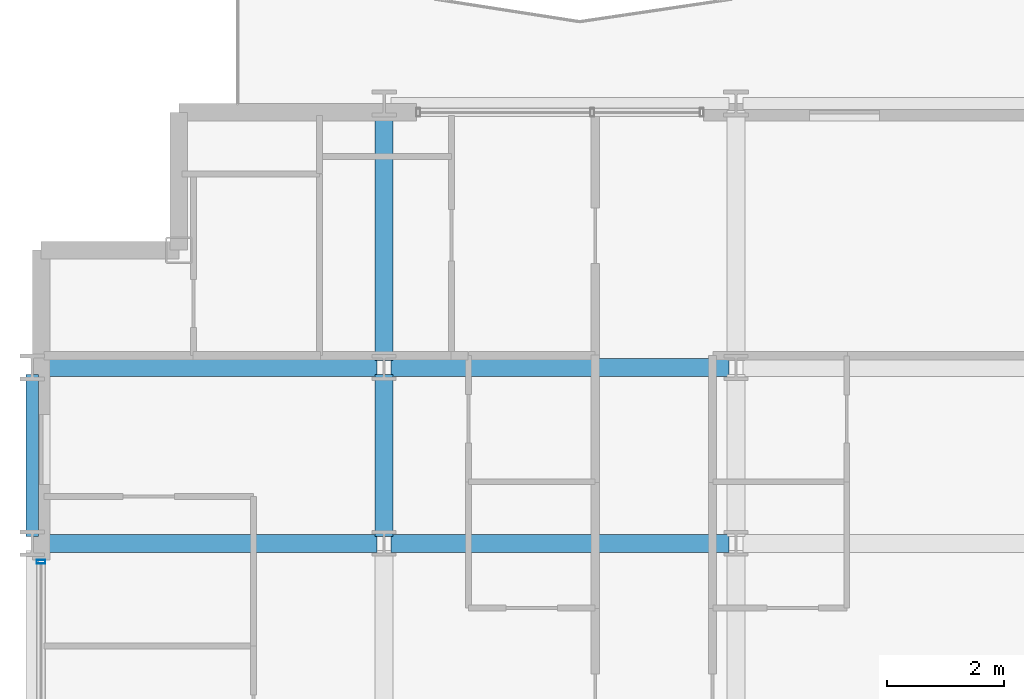
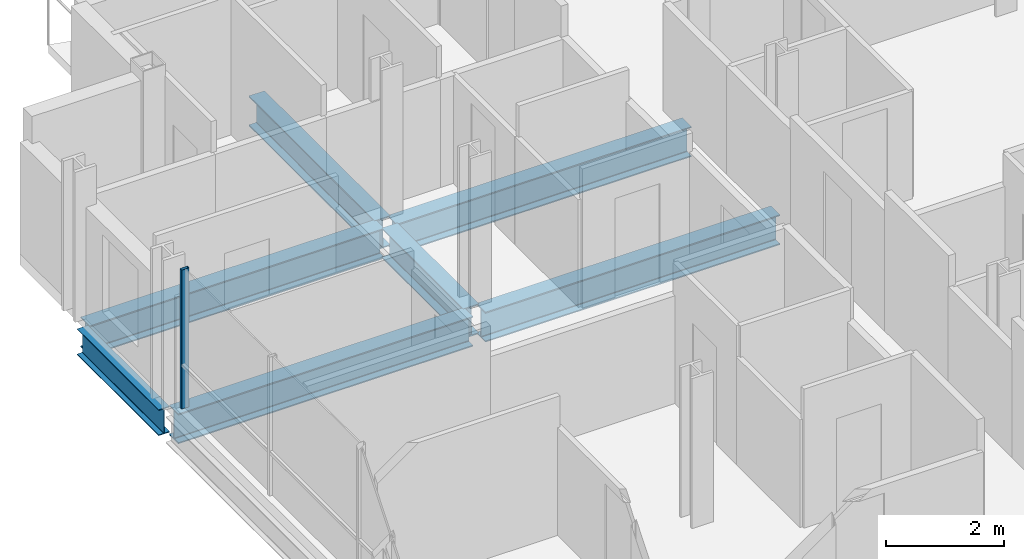
# One storey, part 7 of 40: 7 beams, 1 member, 1 element without a shape of its own.
"""IFC4 building model written with IfcOpenShell, lengths in metres."""

from ifc_helpers import new_model, si_unit, direction, frame, origin, origin_2d, place, context, subcontext, project, spatial, hollow_rectangle, i_section, extrude, material, layer, layer_set, material_profile, profile_set, type_object, element, aggregate, save


model = new_model("IFC4")

# Units and contexts
model_context = context("Model", 3, precision=1e-05, world=origin(), true_north=direction((0.0, 1.0)))
body_context = subcontext(model_context, "Body", "Model", "MODEL_VIEW")
ifc_project = project(units=[si_unit("LENGTHUNIT", "METRE"), si_unit("AREAUNIT", "SQUARE_METRE"), si_unit("VOLUMEUNIT", "CUBIC_METRE"), si_unit("PLANEANGLEUNIT", "RADIAN"), si_unit("MASSUNIT", "GRAM", prefix="KILO")], contexts=[model_context])

# Site, building, storey
site_placement = place(None, origin())
site = spatial("IfcSite", under=ifc_project, at=site_placement, CompositionType="ELEMENT")
building_placement = place(site_placement, origin())
building = spatial("IfcBuilding", under=site, at=building_placement, Name="Brevholm Reach", CompositionType="ELEMENT")
storey_placement = place(building_placement, frame((0.0, 0.0, 80.699951171875)))
storey = spatial("IfcBuildingStorey", under=building, at=storey_placement, Name="L23", CompositionType="ELEMENT", Elevation=80.699951171875)

# Beams
ifc_material_1 = material(Name="Structural Steel S355J2", Category="steel")
ifc_material_profile_1 = material_profile(ifc_material_1, i_section(OverallWidth=0.210693359375, OverallDepth=0.53955078125, WebThickness=0.01171875, FlangeThickness=0.018798828125, FilletRadius=0.0126953125, at=origin_2d()), Name="UKB 533x210x109")
ifc_profile_set_1 = profile_set([ifc_material_profile_1], Name="Structural Steel S355J2")
beam_type_1 = type_object("IfcBeamType", Name="BM-SP539", PredefinedType="SPANDREL", material=ifc_profile_set_1)
beam_1_placement = place(storey_placement, frame((0.0, 23.6201171875, -0.499755859375), z_axis=(0.0, 1.0, 0.0), x_axis=(-1.0, 0.0, 0.0)))
element("IfcBeam", 1, at=beam_1_placement, inside=storey, type_object=beam_type_1, Name="L23 SP-01B Framing Beam", PredefinedType="SPANDREL", context=body_context, shape_type="SweptSolid", body=[
    extrude(i_section(OverallWidth=0.210693359375, OverallDepth=0.53955078125, WebThickness=0.01171875, FlangeThickness=0.018798828125, FilletRadius=0.0126953125, at=origin_2d()), origin(), (0.0, 0.0, 1.0), 2.759765625),
])
ifc_material_2 = material(Name="Structural Steel S355J2", Category="steel")
ifc_material_profile_2 = material_profile(ifc_material_2, i_section(OverallWidth=0.30712890625, OverallDepth=0.6201171875, WebThickness=0.01416015625, FlangeThickness=0.023681640625, FilletRadius=0.0166015625, at=origin_2d()), Name="UKB 610x305x179")
ifc_profile_set_2 = profile_set([ifc_material_profile_2], Name="Structural Steel S355J2")
beam_type_2 = type_object("IfcBeamType", Name="BM-UKB610H", PredefinedType="USERDEFINED", material=ifc_profile_set_2)
for number, where, z_axis, x_axis, name in (
    (2, (0.1201171875, 23.5, -0.5400390625), (1.0, 0.0, 0.0), (0.0, 1.0, 0.0), "L23 G-06 Framing Beam"),
    (3, (6.1201171875, 23.5, -0.5400390625), (1.0, 0.0, 0.0), (0.0, 1.0, 0.0), "L23 G-06 Framing Beam"),
    (4, (0.1201171875, 26.5, -0.5400390625), (1.0, 0.0, 0.0), (0.0, 1.0, 0.0), "L23 G-06 Framing Beam"),
    (5, (6.1201171875, 26.5, -0.5400390625), (1.0, 0.0, 0.0), (0.0, 1.0, 0.0), "L23 G-06 Framing Beam"),
):
    element("IfcBeam", number, at=place(storey_placement, frame(where, z_axis=z_axis, x_axis=x_axis)), inside=storey, type_object=beam_type_2, Name=name, ObjectType="GIRDER", PredefinedType="USERDEFINED", context=body_context, shape_type="SweptSolid", body=[
        extrude(i_section(OverallWidth=0.30712890625, OverallDepth=0.6201171875, WebThickness=0.01416015625, FlangeThickness=0.023681640625, FilletRadius=0.0166015625, at=origin_2d()), origin(), (0.0, 0.0, 1.0), 5.759765625),
    ])
beam_2_placement = place(storey_placement, frame((6.0, 23.6201171875, -0.5400390625), z_axis=(0.0, 1.0, 0.0), x_axis=(-1.0, 0.0, 0.0)))
element("IfcBeam", 6, at=beam_2_placement, inside=storey, type_object=beam_type_2, Name="L23 G-06 Framing Beam", ObjectType="GIRDER", PredefinedType="USERDEFINED", context=body_context, shape_type="SweptSolid", body=[
    extrude(i_section(OverallWidth=0.30712890625, OverallDepth=0.6201171875, WebThickness=0.01416015625, FlangeThickness=0.023681640625, FilletRadius=0.0166015625, at=origin_2d()), origin(), (0.0, 0.0, 1.0), 2.759765625),
])
beam_3_placement = place(storey_placement, frame((6.0, 26.6201171875, -0.5400390625), z_axis=(0.0, 1.0, 0.0), x_axis=(-1.0, 0.0, 0.0)))
element("IfcBeam", 7, at=beam_3_placement, inside=storey, type_object=beam_type_2, Name="L23 G-06 Framing Beam", ObjectType="GIRDER", PredefinedType="USERDEFINED", context=body_context, shape_type="SweptSolid", body=[
    extrude(i_section(OverallWidth=0.30712890625, OverallDepth=0.6201171875, WebThickness=0.01416015625, FlangeThickness=0.023681640625, FilletRadius=0.0166015625, at=origin_2d()), origin(), (0.0, 0.0, 1.0), 4.259765625),
])

# Curtain wall, member
ifc_material_3 = material(Name="Dark Anodised Aluminium 6063-T6 and Solar-Control Glass", Category="aluminium")
ifc_layer = layer(ifc_material_3, 0.14990234375)
ifc_layer_set = layer_set([ifc_layer], Name="Dark Anodised Aluminium 6063-T6 and Solar-Control Glass")
curtain_wall_type = type_object("IfcCurtainWallType", Name="CW-01", PredefinedType="NOTDEFINED", material=ifc_layer_set)
curtain_wall_placement = place(storey_placement, origin())
curtain_wall = element("IfcCurtainWall", 8, at=curtain_wall_placement, inside=storey, type_object=curtain_wall_type, Name="L23 Curtain Wall CW-01", PredefinedType="NOTDEFINED")
ifc_material_4 = material(Name="Dark Anodised Aluminium 6063-T6", Category="aluminium")
ifc_material_profile_3 = material_profile(ifc_material_4, hollow_rectangle(XDim=0.06494140625, YDim=0.14990234375, WallThickness=0.0048828125, InnerFilletRadius=0.0048828125, OuterFilletRadius=0.010009765625, at=origin_2d()), Name="RHS 150x65x5")
ifc_profile_set_3 = profile_set([ifc_material_profile_3], Name="Dark Anodised Aluminium 6063-T6")
member_type = type_object("IfcMemberType", Name="CWM-150", PredefinedType="MULLION", material=ifc_profile_set_3)
member_placement = place(storey_placement, frame((0.14990234375, 23.1875, 0.0), z_axis=(0.0, 0.0, 1.0), x_axis=(0.0, -1.0, 0.0)))
member = element("IfcMember", 9, at=member_placement, type_object=member_type, Name="CM-150 Mullion 1", PredefinedType="MULLION", context=body_context, shape_type="SweptSolid", body=[
    extrude(hollow_rectangle(XDim=0.06494140625, YDim=0.14990234375, WallThickness=0.0048828125, InnerFilletRadius=0.0048828125, OuterFilletRadius=0.010009765625, at=origin_2d()), origin(), (0.0, 0.0, 1.0), 2.8701171875),
])
aggregate(curtain_wall, [member])

save(model, "model.ifc")
